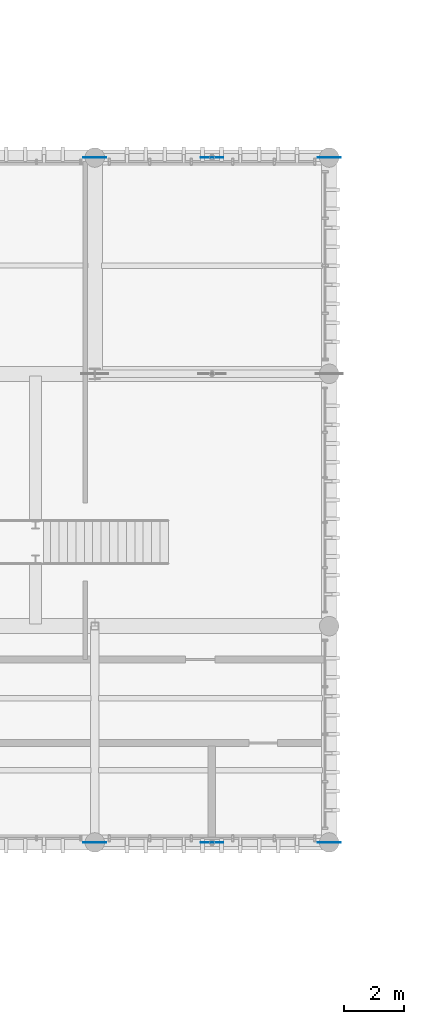
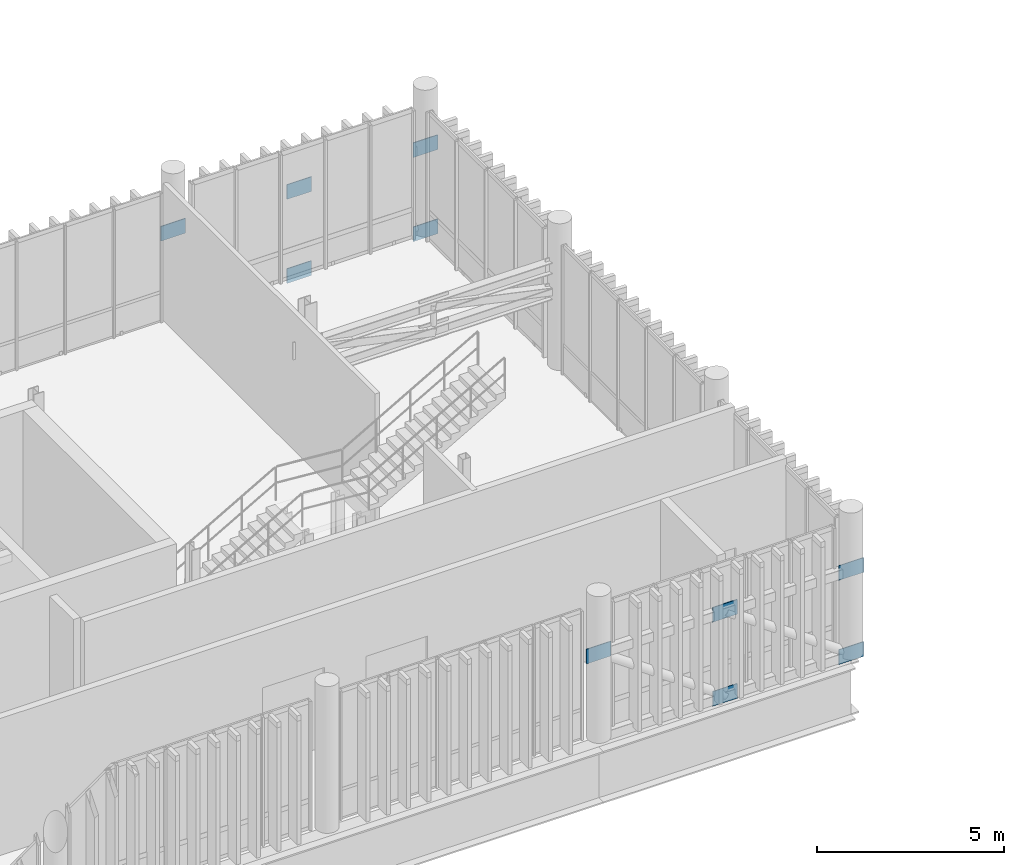
# One storey, part 71 of 86: 10 plates.
"""IFC4 building model written with IfcOpenShell, lengths in metres."""

import ifcopenshell
import ifcopenshell.guid

model = None  # the IFC model being written
_history = None  # IfcOwnerHistory: only IFC2X3 demands one
_inside = {}  # id of a spatial element -> (the spatial element, [elements in it])
_under = {}  # id of a project, library or spatial element -> (it, [spatial elements below it])
_declared = {}  # id of a project -> (the project, [libraries it declares])
_typed = {}  # id of a type object -> (the type object, [elements of that type])
_made_of = {}  # id of a material, layer set ... -> (it, [elements and type objects made of it])


def new_model(schema):
    """Start an empty IFC model of exactly this schema.

    Asked for "IFC4X3", IfcOpenShell would pick the latest addendum, in which some entities
    have other attributes; the version numbers below select the first issue.
    IFC2X3 requires an IfcOwnerHistory on every rooted entity: one is made here for all.
    """
    global model, _history
    if schema == "IFC4X3":
        model = ifcopenshell.file(schema_version=(4, 3, 0, 0))
    else:
        model = ifcopenshell.file(schema=schema)
    _inside.clear()
    _under.clear()
    _declared.clear()
    _typed.clear()
    _made_of.clear()
    _history = None
    if model.schema == "IFC2X3":
        org = make("IfcOrganization", Name="unknown")
        user = make(
            "IfcPersonAndOrganization",
            ThePerson=make("IfcPerson", FamilyName="unknown"),
            TheOrganization=org,
        )
        app = make(
            "IfcApplication",
            ApplicationDeveloper=org,
            Version="unknown",
            ApplicationFullName="unknown",
            ApplicationIdentifier="unknown",
        )
        _history = make(
            "IfcOwnerHistory",
            OwningUser=user,
            OwningApplication=app,
            ChangeAction="ADDED",
            CreationDate=0,
        )
    return model


def make(cls, **values):
    """One entity of the class cls with the attributes given. An attribute that is None is left unset."""
    return model.create_entity(
        cls, **{name: value for name, value in values.items() if value is not None}
    )


def rooted(cls, **values):
    """An entity with a GlobalId (a new one), such as an element, a storey or a relation."""
    return make(cls, GlobalId=ifcopenshell.guid.new(), OwnerHistory=_history, **values)


def si_unit(unit_type, name, prefix=None):
    """IfcSIUnit, for example si_unit("LENGTHUNIT", "METRE", prefix="MILLI")."""
    return make("IfcSIUnit", UnitType=unit_type, Prefix=prefix, Name=name)


def assignment(units):
    """IfcUnitAssignment: the units of a project."""
    return None if units is None else make("IfcUnitAssignment", Units=units)


def point(xyz):
    """IfcCartesianPoint."""
    return None if xyz is None else make("IfcCartesianPoint", Coordinates=xyz)


def direction(xyz):
    """IfcDirection."""
    return None if xyz is None else make("IfcDirection", DirectionRatios=xyz)


def frame(location, z_axis=None, x_axis=None):
    """IfcAxis2Placement3D, a coordinate frame: its origin and axes. An axis left out is left unset."""
    return make(
        "IfcAxis2Placement3D",
        Location=point(location),
        Axis=direction(z_axis),
        RefDirection=direction(x_axis),
    )


def frame_2d(location, x_axis=None):
    """IfcAxis2Placement2D, a coordinate frame in the plane: its origin and x axis."""
    return make(
        "IfcAxis2Placement2D", Location=point(location), RefDirection=direction(x_axis)
    )


def origin_with_axes():
    """The frame at (0, 0, 0) with the z axis (0, 0, 1) and the x axis (1, 0, 0) written out."""
    return frame((0.0, 0.0, 0.0), z_axis=(0.0, 0.0, 1.0), x_axis=(1.0, 0.0, 0.0))


def origin_2d_with_axis():
    """The frame at (0, 0) in the plane with the x axis (1, 0) written out."""
    return frame_2d((0.0, 0.0), x_axis=(1.0, 0.0))


def place(relative_to, where):
    """IfcLocalPlacement: puts the frame where relative to a parent placement (None: the world)."""
    return make(
        "IfcLocalPlacement", PlacementRelTo=relative_to, RelativePlacement=where
    )


def context(
    kind, dimensions, precision=None, world=None, true_north=None, identifier=None
):
    """IfcGeometricRepresentationContext, for example the 3D "Model" context."""
    return make(
        "IfcGeometricRepresentationContext",
        ContextIdentifier=identifier,
        ContextType=kind,
        CoordinateSpaceDimension=dimensions,
        Precision=precision,
        WorldCoordinateSystem=world,
        TrueNorth=true_north,
    )


def subcontext(parent, identifier, kind, view, scale=None):
    """IfcGeometricRepresentationSubContext, for example "Body" below "Model"."""
    return make(
        "IfcGeometricRepresentationSubContext",
        ContextIdentifier=identifier,
        ContextType=kind,
        ParentContext=parent,
        TargetScale=scale,
        TargetView=view,
    )


def project(units=None, contexts=None):
    """IfcProject with its units and contexts."""
    return rooted(
        "IfcProject",
        Name="project",
        RepresentationContexts=contexts,
        UnitsInContext=assignment(units),
    )


def spatial(cls, under=None, at=None, **own):
    """A site, building, storey or space (cls), placed at a placement, below another one or the project."""
    s = rooted(cls, ObjectPlacement=at, **own)
    if under is not None:
        _under.setdefault(under.id(), (under, []))[1].append(s)
    return s


def profile(cls, at=None, kind="AREA", **sizes):
    """A parametric profile (cls). Its sizes go by their IFC names, for example OverallWidth=200.0."""
    return make(cls, ProfileType=kind, Position=at, **sizes)


def rectangle(**sizes):
    """IfcRectangleProfileDef."""
    return profile("IfcRectangleProfileDef", **sizes)


def extrude(swept, where, along, depth):
    """IfcExtrudedAreaSolid: the profile swept, set in the frame where, extruded along a direction by depth."""
    return make(
        "IfcExtrudedAreaSolid",
        SweptArea=swept,
        Position=where,
        ExtrudedDirection=direction(along),
        Depth=depth,
    )


def shape(context_of_items, identifier, shape_type, items):
    """IfcShapeRepresentation: the items that make up one representation, for example the "Body"."""
    return make(
        "IfcShapeRepresentation",
        ContextOfItems=context_of_items,
        RepresentationIdentifier=identifier,
        RepresentationType=shape_type,
        Items=items,
    )


def material(Name=None, Category=None):
    """IfcMaterial."""
    return make("IfcMaterial", Name=Name, Category=Category)


def layer(
    of_material, thickness, ventilated=None, Name=None, Category=None, Priority=None
):
    """IfcMaterialLayer: one layer of a wall or slab, of a material (None: an air gap)."""
    return make(
        "IfcMaterialLayer",
        Material=of_material,
        LayerThickness=thickness,
        IsVentilated=ventilated,
        Name=Name,
        Category=Category,
        Priority=Priority,
    )


def layer_set(layers, Name=None):
    """IfcMaterialLayerSet."""
    return make("IfcMaterialLayerSet", MaterialLayers=layers, LayerSetName=Name)


def made_of(thing, what):
    """Note that an element or type object is made of a material, layer set ...; save() writes the relation."""
    if what is not None:
        _made_of.setdefault(what.id(), (what, []))[1].append(thing)
    return thing


def type_object(cls, material=None, **own):
    """A type object (cls), such as IfcWallType, which elements share."""
    return made_of(rooted(cls, **own), material)


def element(
    cls,
    number,
    at=None,
    inside=None,
    cuts=None,
    type_object=None,
    material=None,
    context=None,
    identifier="Body",
    shape_type=None,
    held_by="IfcProductDefinitionShape",
    body=None,
    shapes=None,
    **own,
):
    """One element of the class cls, such as IfcWall. Its Tag is "e" and its number.

    at: its placement. inside: the storey or other place that contains it. cuts: it is an
    opening in that element (IfcRelVoidsElement). A single representation is given by context,
    identifier, shape_type and body (its items); several are given by shapes. held_by: the class
    of the entity that holds the representations. save() writes the other relations.
    """
    e = rooted(cls, Tag="e%d" % number, ObjectPlacement=at, **own)
    if body is not None:
        shapes = [shape(context, identifier, shape_type, body)]
    if shapes is not None:
        e.Representation = make(held_by, Representations=shapes)
    if inside is not None:
        _inside.setdefault(inside.id(), (inside, []))[1].append(e)
    if cuts is not None:
        rooted(
            "IfcRelVoidsElement", RelatingBuildingElement=cuts, RelatedOpeningElement=e
        )
    if type_object is not None:
        _typed.setdefault(type_object.id(), (type_object, []))[1].append(e)
    return made_of(e, material)


def aggregate(whole, parts):
    """IfcRelAggregates: a whole, such as a stair, and the parts it consists of."""
    return rooted("IfcRelAggregates", RelatingObject=whole, RelatedObjects=parts)


def save(model, path):
    """Write the relations noted so far, then the file.

    IfcRelAggregates (storeys below a building ...), IfcRelContainedInSpatialStructure (elements
    in a storey), IfcRelDefinesByType, IfcRelAssociatesMaterial and IfcRelDeclares: one each for
    every whole, place, type object, material and project.
    """
    for whole, parts in _under.values():
        aggregate(whole, parts)
    for where, things in _inside.values():
        rooted(
            "IfcRelContainedInSpatialStructure",
            RelatedElements=things,
            RelatingStructure=where,
        )
    for kind, things in _typed.values():
        rooted("IfcRelDefinesByType", RelatedObjects=things, RelatingType=kind)
    for what, things in _made_of.values():
        rooted("IfcRelAssociatesMaterial", RelatedObjects=things, RelatingMaterial=what)
    for by, libraries in _declared.values():
        rooted("IfcRelDeclares", RelatingContext=by, RelatedDefinitions=libraries)
    model.write(path)


model = new_model("IFC4")

# Units and contexts
model_context = context("Model", 3, precision=1e-05, world=origin_with_axes(), true_north=direction((0.0, 1.0)))
body_context = subcontext(model_context, "Body", "Model", "MODEL_VIEW")
ifc_project = project(units=[si_unit("LENGTHUNIT", "METRE"), si_unit("AREAUNIT", "SQUARE_METRE"), si_unit("VOLUMEUNIT", "CUBIC_METRE"), si_unit("PLANEANGLEUNIT", "RADIAN"), si_unit("MASSUNIT", "GRAM", prefix="KILO"), si_unit("THERMODYNAMICTEMPERATUREUNIT", "KELVIN")], contexts=[model_context])

# Site, building, storey
site_placement = place(None, origin_with_axes())
site = spatial("IfcSite", under=ifc_project, at=site_placement, CompositionType="ELEMENT")
building_placement = place(site_placement, origin_with_axes())
building = spatial("IfcBuilding", under=site, at=building_placement, Name="Montbau Bow Law Courts", CompositionType="ELEMENT")
storey_placement = place(building_placement, frame((0.0, 0.0, 29.7), z_axis=(0.0, 0.0, 1.0), x_axis=(1.0, 0.0, 0.0)))
storey = spatial("IfcBuildingStorey", under=building, at=storey_placement, Name="L06", CompositionType="ELEMENT", Elevation=29.7)

# Plates
ifc_material = material(Name="Steel CSA G40.21 Grade 350W (350 MPa)", Category="steel")
ifc_layer = layer(ifc_material, 0.025, Name="Gusset Plate", Category="steel")
ifc_layer_set = layer_set([ifc_layer], Name="Steel CSA G40.21 Grade 350W (350 MPa)")
plate_type = type_object("IfcPlateType", Name="PL-GUS-02", PredefinedType="USERDEFINED", material=ifc_layer_set)
for number, where, z_axis, x_axis, name in (
    (1, (97.2, 39.0, 32.21), (0.0, 0.0, 1.0), (1.0, 0.0, 0.0), "BGP-L06-031:plt_0062"),
    (2, (101.1, 39.0, 29.46), (0.0, 0.0, 1.0), (1.0, 0.0, 0.0), "BGP-L06-032:plt_0063"),
    (3, (101.1, 39.0, 32.21), (0.0, 0.0, 1.0), (1.0, 0.0, 0.0), "BGP-L06-033:plt_0064"),
    (4, (105.0, 39.0, 29.46), (0.0, 0.0, 1.0), (1.0, 0.0, 0.0), "BGP-L06-034:plt_0065"),
    (5, (105.0, 39.0, 32.21), (0.0, 0.0, 1.0), (1.0, 0.0, 0.0), "BGP-L06-035:plt_0066"),
    (6, (97.2, 61.8, 32.21), (0.0, 0.0, 1.0), (1.0, 0.0, 0.0), "BGP-L06-041:plt_0072"),
    (7, (101.1, 61.8, 29.46), (0.0, 0.0, 1.0), (1.0, 0.0, 0.0), "BGP-L06-042:plt_0073"),
    (8, (101.1, 61.8, 32.21), (0.0, 0.0, 1.0), (1.0, 0.0, 0.0), "BGP-L06-043:plt_0074"),
    (9, (105.0, 61.8, 29.46), (0.0, 0.0, 1.0), (1.0, 0.0, 0.0), "BGP-L06-044:plt_0075"),
    (10, (105.0, 61.8, 32.21), (0.0, 0.0, 1.0), (1.0, 0.0, 0.0), "BGP-L06-045:plt_0076"),
):
    element("IfcPlate", number, at=place(None, frame(where, z_axis=z_axis, x_axis=x_axis)), inside=storey, type_object=plate_type, Name=name, ObjectType="GUSSET_PLATE", PredefinedType="USERDEFINED", context=body_context, shape_type="SweptSolid", body=[
        extrude(rectangle(XDim=0.76, YDim=0.025, at=origin_2d_with_axis()), origin_with_axes(), (0.0, 0.0, 1.0), 0.48),
    ])

save(model, "model.ifc")
